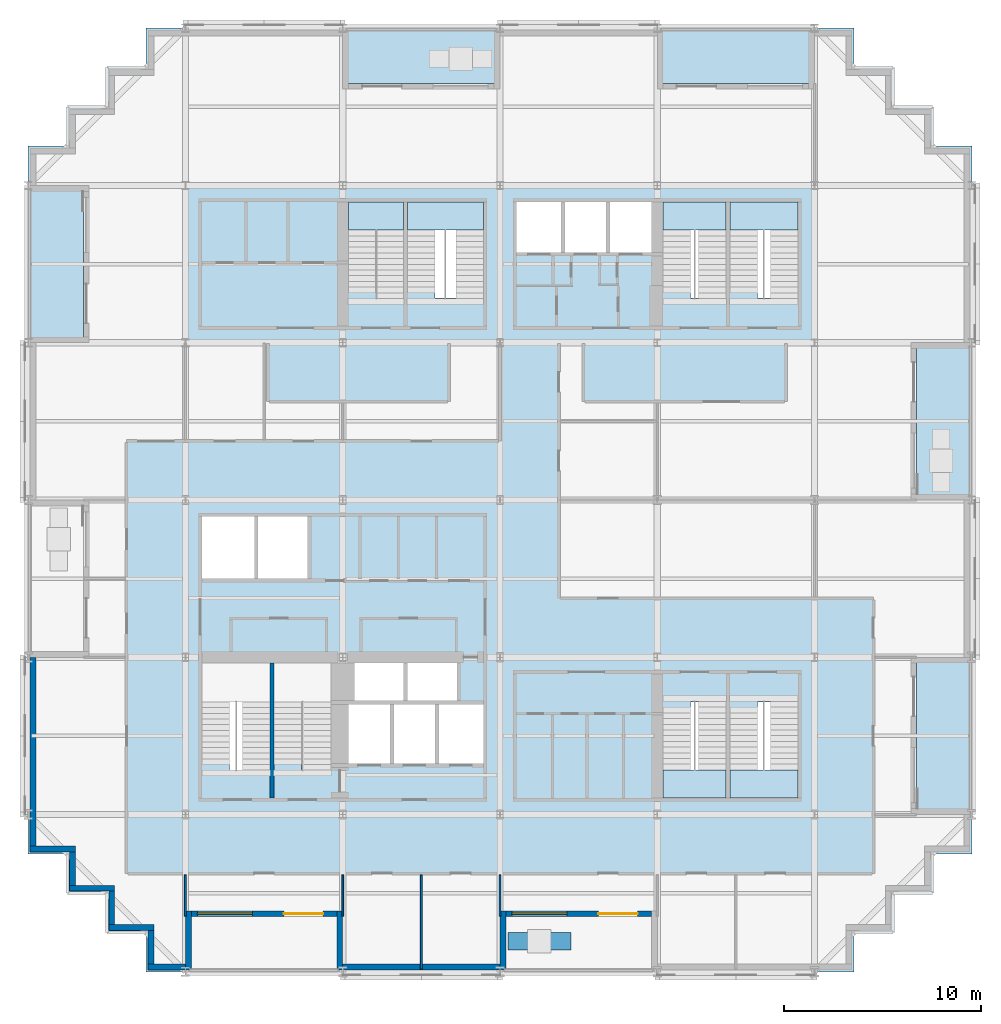
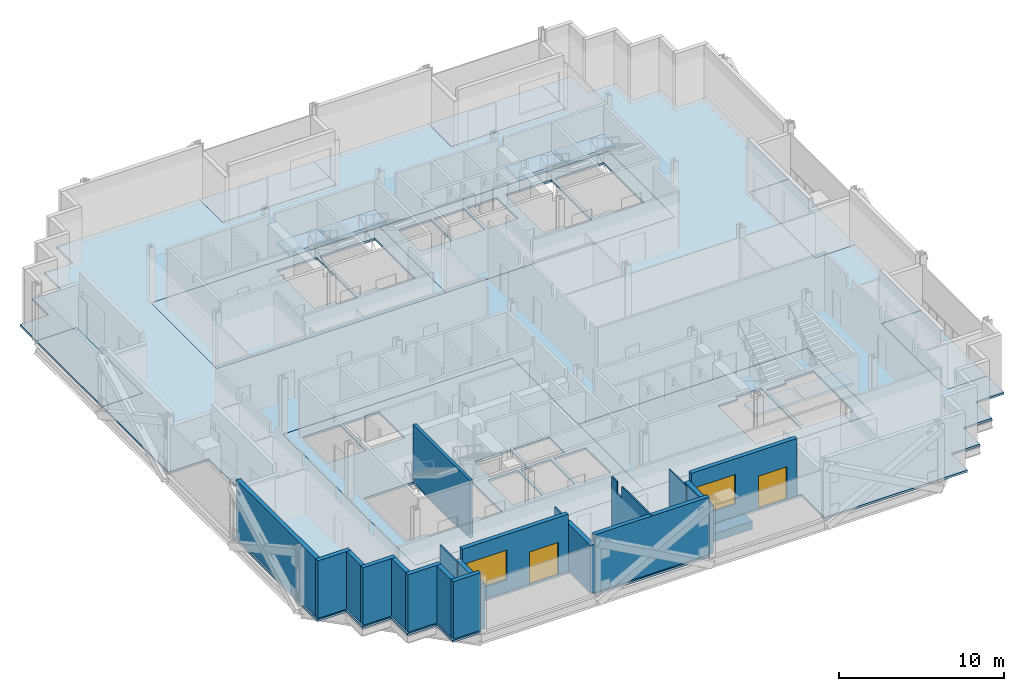
# One storey, part 4 of 14: 20 walls, 16 slabs, 2 doors, 2 windows, 4 openings, 6 elements without a shape of their own.
"""IFC4 building model written with IfcOpenShell, lengths in metres."""

from ifc_helpers import new_model, si_unit, direction, frame, frame_2d, origin, place, context, subcontext, project, spatial, polyline, rectangle, outline, extrude, material, layer, layer_set, type_object, element, fill, aggregate, save


model = new_model("IFC4")

# Units and contexts
model_context = context("Model", 3, precision=1e-05, world=origin(), true_north=direction((0.0, 1.0)))
body_context = subcontext(model_context, "Body", "Model", "MODEL_VIEW")
ifc_project = project(units=[si_unit("LENGTHUNIT", "METRE"), si_unit("AREAUNIT", "SQUARE_METRE"), si_unit("VOLUMEUNIT", "CUBIC_METRE"), si_unit("PLANEANGLEUNIT", "RADIAN"), si_unit("MASSUNIT", "GRAM", prefix="KILO")], contexts=[model_context])

# Site, building, storey
site_placement = place(None, origin())
site = spatial("IfcSite", under=ifc_project, at=site_placement, CompositionType="ELEMENT")
building_placement = place(site_placement, origin())
building = spatial("IfcBuilding", under=site, at=building_placement, Name="Immortelle Media Tower", CompositionType="ELEMENT")
storey_placement = place(building_placement, frame((0.0, 0.0, 48.0)))
storey = spatial("IfcBuildingStorey", under=building, at=storey_placement, Name="L07", CompositionType="ELEMENT", Elevation=48.0)

# Slabs
ifc_material_1 = material(Name="Concrete C50/60 composite deck", Category="concrete")
ifc_layer_1 = layer(ifc_material_1, 0.14990234375)
ifc_layer_set_1 = layer_set([ifc_layer_1], Name="Concrete C50/60 composite deck")
slab_type_1 = type_object("IfcSlabType", Name="Balcony slab 150", PredefinedType="FLOOR", material=ifc_layer_set_1)
slab_1_placement = place(storey_placement, frame((0.0, 0.0, -0.14990234375)))
element("IfcSlab", 1, at=slab_1_placement, inside=storey, type_object=slab_type_1, Name="Balcony slab L07 W0", PredefinedType="FLOOR", context=body_context, shape_type="SweptSolid", body=[
    extrude(outline(polyline([(2.800048828125, 32.0), (2.800048828125, 40.0), (0.0, 40.0), (0.0, 32.0), (2.800048828125, 32.0)])), origin(), (0.0, 0.0, 1.0), 0.14990234375),
])
slab_2_placement = place(storey_placement, frame((0.0, 0.0, -0.14990234375)))
element("IfcSlab", 2, at=slab_2_placement, inside=storey, type_object=slab_type_1, Name="Balcony slab L07 E0", PredefinedType="FLOOR", context=body_context, shape_type="SweptSolid", body=[
    extrude(outline(polyline([(48.0, 8.0), (48.0, 16.0), (45.199951171875, 16.0), (45.199951171875, 8.0), (48.0, 8.0)])), origin(), (0.0, 0.0, 1.0), 0.14990234375),
])
slab_3_placement = place(storey_placement, frame((0.0, 0.0, -0.14990234375)))
element("IfcSlab", 3, at=slab_3_placement, inside=storey, type_object=slab_type_1, Name="Balcony slab L07 E2", PredefinedType="FLOOR", context=body_context, shape_type="SweptSolid", body=[
    extrude(outline(polyline([(48.0, 24.0), (48.0, 32.0), (45.199951171875, 32.0), (45.199951171875, 24.0), (48.0, 24.0)])), origin(), (0.0, 0.0, 1.0), 0.14990234375),
])
slab_4_placement = place(storey_placement, frame((0.0, 0.0, -0.14990234375)))
element("IfcSlab", 4, at=slab_4_placement, inside=storey, type_object=slab_type_1, Name="Balcony slab L07 N0", PredefinedType="FLOOR", context=body_context, shape_type="SweptSolid", body=[
    extrude(outline(polyline([(40.0, 45.199951171875), (40.0, 48.0), (32.0, 48.0), (32.0, 45.199951171875), (40.0, 45.199951171875)])), origin(), (0.0, 0.0, 1.0), 0.14990234375),
])
slab_5_placement = place(storey_placement, frame((0.0, 0.0, -0.14990234375)))
element("IfcSlab", 5, at=slab_5_placement, inside=storey, type_object=slab_type_1, Name="Balcony slab L07 N2", PredefinedType="FLOOR", context=body_context, shape_type="SweptSolid", body=[
    extrude(outline(polyline([(24.0, 45.199951171875), (24.0, 48.0), (16.0, 48.0), (16.0, 45.199951171875), (24.0, 45.199951171875)])), origin(), (0.0, 0.0, 1.0), 0.14990234375),
])
ifc_material_2 = material(Name="Concrete C50/60", Category="concrete")
ifc_layer_2 = layer(ifc_material_2, 0.14990234375)
ifc_layer_set_2 = layer_set([ifc_layer_2], Name="Concrete C50/60")
slab_type_2 = type_object("IfcSlabType", Name="Composite floor slab 150", PredefinedType="FLOOR", material=ifc_layer_set_2)
slab_6_placement = place(storey_placement, frame((0.0, 0.0, -0.14990234375)))
element("IfcSlab", 6, at=slab_6_placement, inside=storey, type_object=slab_type_2, Name="Floor slab L07", PredefinedType="FLOOR", context=body_context, shape_type="SweptSolid", body=[
    extrude(outline(polyline([(6.0, 0.0), (6.0, 2.0), (4.0, 2.0), (4.0, 4.0), (2.0, 4.0), (2.0, 6.0), (0.0, 6.0), (0.0, 16.0), (2.800048828125, 16.0), (2.800048828125, 24.0), (0.0, 24.0), (0.0, 32.0), (2.800048828125, 32.0), (2.800048828125, 40.0), (0.0, 40.0), (0.0, 42.0), (2.0, 42.0), (2.0, 44.0), (4.0, 44.0), (4.0, 46.0), (6.0, 46.0), (6.0, 48.0), (16.0, 48.0), (16.0, 45.199951171875), (24.0, 45.199951171875), (24.0, 48.0), (32.0, 48.0), (32.0, 45.199951171875), (40.0, 45.199951171875), (40.0, 48.0), (42.0, 48.0), (42.0, 46.0), (44.0, 46.0), (44.0, 44.0), (46.0, 44.0), (46.0, 42.0), (48.0, 42.0), (48.0, 32.0), (45.199951171875, 32.0), (45.199951171875, 24.0), (48.0, 24.0), (48.0, 16.0), (45.199951171875, 16.0), (45.199951171875, 8.0), (48.0, 8.0), (48.0, 6.0), (46.0, 6.0), (46.0, 4.0), (44.0, 4.0), (44.0, 2.0), (42.0, 2.0), (42.0, 0.0), (32.0, 0.0), (32.0, 2.800048828125), (24.0, 2.800048828125), (24.0, 0.0), (16.0, 0.0), (16.0, 2.800048828125), (8.0, 2.800048828125), (8.0, 0.0), (6.0, 0.0)]), holes=[polyline([(24.0, 24.0), (8.0, 24.0), (8.0, 8.0), (24.0, 8.0), (40.0, 8.0), (40.0, 16.0), (24.0, 16.0), (24.0, 24.0)]), polyline([(24.0, 32.0), (40.0, 32.0), (40.0, 40.0), (24.0, 40.0), (8.0, 40.0), (8.0, 32.0), (24.0, 32.0)])]), origin(), (0.0, 0.0, 1.0), 0.14990234375),
])
ifc_layer_3 = layer(ifc_material_2, 0.14990234375)
ifc_layer_set_3 = layer_set([ifc_layer_3], Name="Concrete C50/60")
slab_type_3 = type_object("IfcSlabType", Name="Core floor slab 150", PredefinedType="FLOOR", material=ifc_layer_set_3)
slab_7_placement = place(storey_placement, frame((0.0, 0.0, -0.14990234375)))
element("IfcSlab", 7, at=slab_7_placement, inside=storey, type_object=slab_type_3, Name="Core floor SW", PredefinedType="FLOOR", context=body_context, shape_type="SweptSolid", body=[
    extrude(outline(polyline([(8.0, 8.0), (24.0, 8.0), (24.0, 24.0), (8.0, 24.0), (8.0, 8.0)]), holes=[polyline([(8.85009765625, 20.0), (11.5, 20.0), (11.5, 23.14990234375), (8.85009765625, 23.14990234375), (8.85009765625, 20.0)]), polyline([(11.699951171875, 20.0), (14.199951171875, 20.0), (14.199951171875, 23.14990234375), (11.699951171875, 23.14990234375), (11.699951171875, 20.0)]), polyline([(16.60009765625, 13.800048828125), (19.10009765625, 13.800048828125), (19.10009765625, 15.699951171875), (16.60009765625, 15.699951171875), (16.60009765625, 13.800048828125)]), polyline([(19.300048828125, 13.800048828125), (21.800048828125, 13.800048828125), (21.800048828125, 15.699951171875), (19.300048828125, 15.699951171875), (19.300048828125, 13.800048828125)]), polyline([(16.300048828125, 10.60009765625), (18.39990234375, 10.60009765625), (18.39990234375, 13.60009765625), (16.300048828125, 13.60009765625), (16.300048828125, 10.60009765625)]), polyline([(18.60009765625, 10.60009765625), (20.699951171875, 10.60009765625), (20.699951171875, 13.60009765625), (18.60009765625, 13.60009765625), (18.60009765625, 10.60009765625)]), polyline([(20.89990234375, 10.60009765625), (23.14990234375, 10.60009765625), (23.14990234375, 13.60009765625), (20.89990234375, 13.60009765625), (20.89990234375, 10.60009765625)]), polyline([(8.85009765625, 15.699951171875), (12.300048828125, 15.699951171875), (12.300048828125, 10.27001953125), (10.25, 10.27001953125), (10.25, 10.56005859375), (8.85009765625, 10.56005859375), (8.85009765625, 15.699951171875)]), polyline([(12.5, 15.699951171875), (15.39990234375, 15.699951171875), (15.39990234375, 10.27001953125), (13.89990234375, 10.27001953125), (13.89990234375, 10.56005859375), (12.5, 10.56005859375), (12.5, 15.699951171875)])]), origin(), (0.0, 0.0, 1.0), 0.14990234375),
])
slab_8_placement = place(storey_placement, frame((0.0, 0.0, -0.14990234375)))
element("IfcSlab", 8, at=slab_8_placement, inside=storey, type_object=slab_type_3, Name="Core floor SE", PredefinedType="FLOOR", context=body_context, shape_type="SweptSolid", body=[
    extrude(outline(polyline([(24.0, 8.0), (40.0, 8.0), (40.0, 16.0), (24.0, 16.0), (24.0, 8.0)]), holes=[polyline([(35.5, 13.72998046875), (35.5, 8.85009765625), (32.300048828125, 8.85009765625), (32.300048828125, 13.43994140625), (33.699951171875, 13.43994140625), (33.699951171875, 13.72998046875), (35.5, 13.72998046875)]), polyline([(39.14990234375, 13.72998046875), (39.14990234375, 8.85009765625), (35.699951171875, 8.85009765625), (35.699951171875, 13.43994140625), (37.10009765625, 13.43994140625), (37.10009765625, 13.72998046875), (39.14990234375, 13.72998046875)])]), origin(), (0.0, 0.0, 1.0), 0.14990234375),
])
slab_9_placement = place(storey_placement, frame((0.0, 0.0, -0.14990234375)))
element("IfcSlab", 9, at=slab_9_placement, inside=storey, type_object=slab_type_3, Name="Core floor NW", PredefinedType="FLOOR", context=body_context, shape_type="SweptSolid", body=[
    extrude(outline(polyline([(8.0, 32.0), (24.0, 32.0), (24.0, 40.0), (8.0, 40.0), (8.0, 32.0)]), holes=[polyline([(16.300048828125, 39.14990234375), (19.10009765625, 39.14990234375), (19.10009765625, 34.27001953125), (17.699951171875, 34.27001953125), (17.699951171875, 34.56005859375), (16.300048828125, 34.56005859375), (16.300048828125, 39.14990234375)]), polyline([(19.300048828125, 39.14990234375), (23.14990234375, 39.14990234375), (23.14990234375, 34.27001953125), (20.699951171875, 34.27001953125), (20.699951171875, 34.56005859375), (19.300048828125, 34.56005859375), (19.300048828125, 39.14990234375)])]), origin(), (0.0, 0.0, 1.0), 0.14990234375),
])
slab_10_placement = place(storey_placement, frame((0.0, 0.0, -0.14990234375)))
element("IfcSlab", 10, at=slab_10_placement, inside=storey, type_object=slab_type_3, Name="Core floor NE", PredefinedType="FLOOR", context=body_context, shape_type="SweptSolid", body=[
    extrude(outline(polyline([(24.0, 32.0), (40.0, 32.0), (40.0, 40.0), (24.0, 40.0), (24.0, 32.0)]), holes=[polyline([(24.85009765625, 36.60009765625), (27.10009765625, 36.60009765625), (27.10009765625, 39.14990234375), (24.85009765625, 39.14990234375), (24.85009765625, 36.60009765625)]), polyline([(27.300048828125, 36.60009765625), (29.39990234375, 36.60009765625), (29.39990234375, 39.14990234375), (27.300048828125, 39.14990234375), (27.300048828125, 36.60009765625)]), polyline([(29.60009765625, 36.60009765625), (31.699951171875, 36.60009765625), (31.699951171875, 39.14990234375), (29.60009765625, 39.14990234375), (29.60009765625, 36.60009765625)]), polyline([(32.300048828125, 39.14990234375), (35.5, 39.14990234375), (35.5, 34.27001953125), (33.699951171875, 34.27001953125), (33.699951171875, 34.56005859375), (32.300048828125, 34.56005859375), (32.300048828125, 39.14990234375)]), polyline([(35.699951171875, 39.14990234375), (39.14990234375, 39.14990234375), (39.14990234375, 34.27001953125), (37.10009765625, 34.27001953125), (37.10009765625, 34.56005859375), (35.699951171875, 34.56005859375), (35.699951171875, 39.14990234375)])]), origin(), (0.0, 0.0, 1.0), 0.14990234375),
])

# Stair, slab
ifc_material_3 = material(Name="Steel ASTM A992 Gr 50", Category="steel")
stair_type = type_object("IfcStairType", Name="Stair with flights", PredefinedType="DOUBLE_RETURN_STAIR", material=ifc_material_3)
stair_1_placement = place(storey_placement, origin())
stair_1 = element("IfcStair", 11, at=stair_1_placement, inside=storey, type_object=stair_type, Name="Exit stair SE1", PredefinedType="DOUBLE_RETURN_STAIR")
ifc_material_4 = material(Name="Steel ASTM A572 Gr 50", Category="steel")
ifc_layer_4 = layer(ifc_material_4, 0.199951171875)
ifc_layer_set_4 = layer_set([ifc_layer_4], Name="Steel ASTM A572 Gr 50")
slab_type_4 = type_object("IfcSlabType", Name="Stair landing 200", PredefinedType="LANDING", material=ifc_layer_set_4)
slab_11_placement = place(storey_placement, frame((0.0, 0.0, 1.912109375)))
slab_11 = element("IfcSlab", 12, at=slab_11_placement, type_object=slab_type_4, Name="ST SE1 landing 1", PredefinedType="LANDING", context=body_context, shape_type="SweptSolid", body=[
    extrude(outline(polyline([(32.300048828125, 8.85009765625), (35.5, 8.85009765625), (35.5, 10.27001953125), (32.300048828125, 10.27001953125), (32.300048828125, 8.85009765625)])), origin(), (0.0, 0.0, 1.0), 0.199951171875),
])
aggregate(stair_1, [slab_11])

stair_2_placement = place(storey_placement, origin())
stair_2 = element("IfcStair", 13, at=stair_2_placement, inside=storey, type_object=stair_type, Name="Exit stair SE2", PredefinedType="DOUBLE_RETURN_STAIR")
slab_12_placement = place(storey_placement, frame((0.0, 0.0, 1.912109375)))
slab_12 = element("IfcSlab", 14, at=slab_12_placement, type_object=slab_type_4, Name="ST SE2 landing 1", PredefinedType="LANDING", context=body_context, shape_type="SweptSolid", body=[
    extrude(outline(polyline([(35.699951171875, 8.85009765625), (39.14990234375, 8.85009765625), (39.14990234375, 10.27001953125), (35.699951171875, 10.27001953125), (35.699951171875, 8.85009765625)])), origin(), (0.0, 0.0, 1.0), 0.199951171875),
])
aggregate(stair_2, [slab_12])

stair_3_placement = place(storey_placement, origin())
stair_3 = element("IfcStair", 15, at=stair_3_placement, inside=storey, type_object=stair_type, Name="Exit stair NW1", PredefinedType="DOUBLE_RETURN_STAIR")
slab_13_placement = place(storey_placement, frame((0.0, 0.0, 1.912109375)))
slab_13 = element("IfcSlab", 16, at=slab_13_placement, type_object=slab_type_4, Name="ST NW1 landing 1", PredefinedType="LANDING", context=body_context, shape_type="SweptSolid", body=[
    extrude(outline(polyline([(16.300048828125, 37.72998046875), (19.10009765625, 37.72998046875), (19.10009765625, 39.14990234375), (16.300048828125, 39.14990234375), (16.300048828125, 37.72998046875)])), origin(), (0.0, 0.0, 1.0), 0.199951171875),
])
aggregate(stair_3, [slab_13])

stair_4_placement = place(storey_placement, origin())
stair_4 = element("IfcStair", 17, at=stair_4_placement, inside=storey, type_object=stair_type, Name="Exit stair NW2", PredefinedType="DOUBLE_RETURN_STAIR")
slab_14_placement = place(storey_placement, frame((0.0, 0.0, 1.912109375)))
slab_14 = element("IfcSlab", 18, at=slab_14_placement, type_object=slab_type_4, Name="ST NW2 landing 1", PredefinedType="LANDING", context=body_context, shape_type="SweptSolid", body=[
    extrude(outline(polyline([(19.300048828125, 37.72998046875), (23.14990234375, 37.72998046875), (23.14990234375, 39.14990234375), (19.300048828125, 39.14990234375), (19.300048828125, 37.72998046875)])), origin(), (0.0, 0.0, 1.0), 0.199951171875),
])
aggregate(stair_4, [slab_14])

stair_5_placement = place(storey_placement, origin())
stair_5 = element("IfcStair", 19, at=stair_5_placement, inside=storey, type_object=stair_type, Name="Exit stair NE1", PredefinedType="DOUBLE_RETURN_STAIR")
slab_15_placement = place(storey_placement, frame((0.0, 0.0, 1.912109375)))
slab_15 = element("IfcSlab", 20, at=slab_15_placement, type_object=slab_type_4, Name="ST NE1 landing 1", PredefinedType="LANDING", context=body_context, shape_type="SweptSolid", body=[
    extrude(outline(polyline([(32.300048828125, 37.72998046875), (35.5, 37.72998046875), (35.5, 39.14990234375), (32.300048828125, 39.14990234375), (32.300048828125, 37.72998046875)])), origin(), (0.0, 0.0, 1.0), 0.199951171875),
])
aggregate(stair_5, [slab_15])

stair_6_placement = place(storey_placement, origin())
stair_6 = element("IfcStair", 21, at=stair_6_placement, inside=storey, type_object=stair_type, Name="Exit stair NE2", PredefinedType="DOUBLE_RETURN_STAIR")
slab_16_placement = place(storey_placement, frame((0.0, 0.0, 1.912109375)))
slab_16 = element("IfcSlab", 22, at=slab_16_placement, type_object=slab_type_4, Name="ST NE2 landing 1", PredefinedType="LANDING", context=body_context, shape_type="SweptSolid", body=[
    extrude(outline(polyline([(35.699951171875, 37.72998046875), (39.14990234375, 37.72998046875), (39.14990234375, 39.14990234375), (35.699951171875, 39.14990234375), (35.699951171875, 37.72998046875)])), origin(), (0.0, 0.0, 1.0), 0.199951171875),
])
aggregate(stair_6, [slab_16])

# Walls
ifc_material_5 = material(Name="Pale aluminium cladding panel", Category="aluminium")
ifc_layer_5 = layer(ifc_material_5, 0.030029296875)
ifc_material_6 = material(Name="Steel ASTM A653 SS Gr 50 stud frame with mineral wool", Category="steel")
ifc_layer_6 = layer(ifc_material_6, 0.257568359375)
ifc_material_7 = material(Name="Moisture-resistant gypsum board", Category="gypsum")
ifc_layer_7 = layer(ifc_material_7, 0.012451171875)
ifc_layer_set_5 = layer_set([ifc_layer_5, ifc_layer_6, ifc_layer_7], Name="Steel ASTM A653 SS Gr 50 stud frame with mineral wool")
wall_type_1 = type_object("IfcWallType", Name="Facade wall 300", PredefinedType="SOLIDWALL", material=ifc_layer_set_5)
wall_1_placement = place(storey_placement, frame((0.25, 16.0, 0.0), z_axis=(0.0, 0.0, 1.0), x_axis=(0.0, -1.0, 0.0)))
element("IfcWall", 23, at=wall_1_placement, inside=storey, type_object=wall_type_1, Name="Facade wall L07 W0", PredefinedType="SOLIDWALL", context=body_context, shape_type="SweptSolid", body=[
    extrude(rectangle(XDim=9.60009765625, YDim=0.300048828125, at=frame_2d((4.800048828125, 0.0))), origin(), (0.0, 0.0, 1.0), 4.25),
])
wall_2_placement = place(storey_placement, frame((0.10009765625, 6.25, 0.0), z_axis=(0.0, 0.0, 1.0), x_axis=(1.0, 0.0, 0.0)))
element("IfcWall", 24, at=wall_2_placement, inside=storey, type_object=wall_type_1, Name="Facade wall L07 S1", PredefinedType="SOLIDWALL", context=body_context, shape_type="SweptSolid", body=[
    extrude(rectangle(XDim=2.2998046875, YDim=0.300048828125, at=frame_2d((1.14990234375, 0.0))), origin(), (0.0, 0.0, 1.0), 4.25),
])
wall_3_placement = place(storey_placement, frame((2.25, 6.10009765625, 0.0), z_axis=(0.0, 0.0, 1.0), x_axis=(0.0, -1.0, 0.0)))
element("IfcWall", 25, at=wall_3_placement, inside=storey, type_object=wall_type_1, Name="Facade wall L07 W2", PredefinedType="SOLIDWALL", context=body_context, shape_type="SweptSolid", body=[
    extrude(rectangle(XDim=1.7001953125, YDim=0.300048828125, at=frame_2d((0.85009765625, 0.0))), origin(), (0.0, 0.0, 1.0), 4.25),
])
wall_4_placement = place(storey_placement, frame((2.10009765625, 4.25, 0.0), z_axis=(0.0, 0.0, 1.0), x_axis=(1.0, 0.0, 0.0)))
element("IfcWall", 26, at=wall_4_placement, inside=storey, type_object=wall_type_1, Name="Facade wall L07 S3", PredefinedType="SOLIDWALL", context=body_context, shape_type="SweptSolid", body=[
    extrude(rectangle(XDim=2.2998046875, YDim=0.300048828125, at=frame_2d((1.14990234375, 0.0))), origin(), (0.0, 0.0, 1.0), 4.25),
])
wall_5_placement = place(storey_placement, frame((4.25, 4.10009765625, 0.0), z_axis=(0.0, 0.0, 1.0), x_axis=(0.0, -1.0, 0.0)))
element("IfcWall", 27, at=wall_5_placement, inside=storey, type_object=wall_type_1, Name="Facade wall L07 W4", PredefinedType="SOLIDWALL", context=body_context, shape_type="SweptSolid", body=[
    extrude(rectangle(XDim=1.7001953125, YDim=0.300048828125, at=frame_2d((0.85009765625, 0.0))), origin(), (0.0, 0.0, 1.0), 4.25),
])
wall_6_placement = place(storey_placement, frame((4.10009765625, 2.25, 0.0), z_axis=(0.0, 0.0, 1.0), x_axis=(1.0, 0.0, 0.0)))
element("IfcWall", 28, at=wall_6_placement, inside=storey, type_object=wall_type_1, Name="Facade wall L07 S5", PredefinedType="SOLIDWALL", context=body_context, shape_type="SweptSolid", body=[
    extrude(rectangle(XDim=2.2998046875, YDim=0.300048828125, at=frame_2d((1.14990234375, 0.0))), origin(), (0.0, 0.0, 1.0), 4.25),
])
wall_7_placement = place(storey_placement, frame((6.25, 2.10009765625, 0.0), z_axis=(0.0, 0.0, 1.0), x_axis=(0.0, -1.0, 0.0)))
element("IfcWall", 29, at=wall_7_placement, inside=storey, type_object=wall_type_1, Name="Facade wall L07 W6", PredefinedType="SOLIDWALL", context=body_context, shape_type="SweptSolid", body=[
    extrude(rectangle(XDim=1.7001953125, YDim=0.300048828125, at=frame_2d((0.85009765625, 0.0))), origin(), (0.0, 0.0, 1.0), 4.25),
])
wall_8_placement = place(storey_placement, frame((6.10009765625, 0.25, 0.0), z_axis=(0.0, 0.0, 1.0), x_axis=(1.0, 0.0, 0.0)))
element("IfcWall", 30, at=wall_8_placement, inside=storey, type_object=wall_type_1, Name="Facade wall L07 S7", PredefinedType="SOLIDWALL", context=body_context, shape_type="SweptSolid", body=[
    extrude(rectangle(XDim=1.89990234375, YDim=0.300048828125, at=frame_2d((0.949951171875, 0.0))), origin(), (0.0, 0.0, 1.0), 4.25),
])

# Wall, openings, door, window
wall_9_placement = place(storey_placement, frame((8.300048828125, 2.949951171875, 0.0), z_axis=(0.0, 0.0, 1.0), x_axis=(1.0, 0.0, 0.0)))
wall_9 = element("IfcWall", 31, at=wall_9_placement, inside=storey, type_object=wall_type_1, Name="Loggia wall L07 S7", PredefinedType="SOLIDWALL", context=body_context, shape_type="SweptSolid", body=[
    extrude(rectangle(XDim=7.39990234375, YDim=0.300048828125, at=frame_2d((3.699951171875, 0.0))), origin(), (0.0, 0.0, 1.0), 4.25),
])
opening_1_placement = place(wall_9_placement, frame((0.300048828125, 0.0, 0.89990234375)))
opening_1 = element("IfcOpeningElement", 32, at=opening_1_placement, cuts=wall_9, Name="Opening W1", PredefinedType="OPENING", context=body_context, shape_type="SweptSolid", body=[
    extrude(rectangle(XDim=2.800048828125, YDim=2.199951171875, at=frame_2d((1.39990234375, 1.10009765625))), frame((0.0, 0.159912109375, 0.0), z_axis=(0.0, -1.0, 0.0), x_axis=(1.0, 0.0, 0.0)), (0.0, 0.0, 1.0), 0.320068359375),
])
opening_2_placement = place(wall_9_placement, frame((4.699951171875, 0.0, 0.0)))
opening_2 = element("IfcOpeningElement", 33, at=opening_2_placement, cuts=wall_9, Name="Opening N2-E003", PredefinedType="OPENING", context=body_context, shape_type="SweptSolid", body=[
    extrude(rectangle(XDim=2.0, YDim=2.39990234375, at=frame_2d((1.0, 1.199951171875))), frame((0.0, 0.159912109375, 0.0), z_axis=(0.0, -1.0, 0.0), x_axis=(1.0, 0.0, 0.0)), (0.0, 0.0, 1.0), 0.320068359375),
])
ifc_material_8 = material(Name="Aluminium frame, glazed leaves", Category="aluminium")
door_type = type_object("IfcDoorType", Name="Loggia door 2000 x 2400", OperationType="DOUBLE_DOOR_SINGLE_SWING", PredefinedType="DOOR", material=ifc_material_8)
door_1_placement = place(opening_2_placement, origin())
door_1 = element("IfcDoor", 34, at=door_1_placement, inside=storey, type_object=door_type, Name="Door N2-E003", OperationType="DOUBLE_DOOR_SINGLE_SWING", OverallHeight=2.39990234375, OverallWidth=2.0, PredefinedType="DOOR", context=body_context, shape_type="SweptSolid", body=[
    extrude(rectangle(XDim=2.0, YDim=2.39990234375, at=frame_2d((1.0, 1.199951171875))), frame((0.0, 0.02490234375, 0.0), z_axis=(0.0, -1.0, 0.0), x_axis=(1.0, 0.0, 0.0)), (0.0, 0.0, 1.0), 0.050048828125),
])
fill(opening_2, door_1)
ifc_material_9 = material(Name="Aluminium frame", Category="aluminium")
window_type = type_object("IfcWindowType", Name="Window 2800 x 2200", PartitioningType="SINGLE_PANEL", PredefinedType="WINDOW", material=ifc_material_9)
window_1_placement = place(opening_1_placement, origin())
window_1 = element("IfcWindow", 35, at=window_1_placement, inside=storey, type_object=window_type, Name="Window L07 L07-R7-B0", OverallHeight=2.199951171875, OverallWidth=2.800048828125, PartitioningType="SINGLE_PANEL", PredefinedType="WINDOW", context=body_context, shape_type="SweptSolid", body=[
    extrude(rectangle(XDim=2.800048828125, YDim=2.199951171875, at=frame_2d((1.39990234375, 1.10009765625))), frame((0.0, 0.030029296875, 0.0), z_axis=(0.0, -1.0, 0.0), x_axis=(1.0, 0.0, 0.0)), (0.0, 0.0, 1.0), 0.06005859375),
])
fill(opening_1, window_1)

# Walls
wall_10_placement = place(storey_placement, frame((8.14990234375, 0.10009765625, 0.0), z_axis=(0.0, 0.0, 1.0), x_axis=(0.0, 1.0, 0.0)))
element("IfcWall", 36, at=wall_10_placement, inside=storey, type_object=wall_type_1, Name="Loggia cheek wall L07 S", PredefinedType="SOLIDWALL", context=body_context, shape_type="SweptSolid", body=[
    extrude(rectangle(XDim=3.0, YDim=0.300048828125, at=frame_2d((1.5, 0.0))), origin(), (0.0, 0.0, 1.0), 3.389892578125),
])
wall_11_placement = place(storey_placement, frame((15.85009765625, 0.10009765625, 0.0), z_axis=(0.0, 0.0, 1.0), x_axis=(0.0, 1.0, 0.0)))
element("IfcWall", 37, at=wall_11_placement, inside=storey, type_object=wall_type_1, Name="Loggia cheek wall L07 S", PredefinedType="SOLIDWALL", context=body_context, shape_type="SweptSolid", body=[
    extrude(rectangle(XDim=3.0, YDim=0.300048828125, at=frame_2d((1.5, 0.0))), origin(), (0.0, 0.0, 1.0), 3.552978515625),
])
wall_12_placement = place(storey_placement, frame((16.0, 0.25, 0.0), z_axis=(0.0, 0.0, 1.0), x_axis=(1.0, 0.0, 0.0)))
element("IfcWall", 38, at=wall_12_placement, inside=storey, type_object=wall_type_1, Name="Facade wall L07 S7", PredefinedType="SOLIDWALL", context=body_context, shape_type="SweptSolid", body=[
    extrude(rectangle(XDim=8.0, YDim=0.300048828125, at=frame_2d((4.0, 0.0))), origin(), (0.0, 0.0, 1.0), 4.25),
])

# Wall, openings, door, window
wall_13_placement = place(storey_placement, frame((24.300048828125, 2.949951171875, 0.0), z_axis=(0.0, 0.0, 1.0), x_axis=(1.0, 0.0, 0.0)))
wall_13 = element("IfcWall", 39, at=wall_13_placement, inside=storey, type_object=wall_type_1, Name="Loggia wall L07 S7", PredefinedType="SOLIDWALL", context=body_context, shape_type="SweptSolid", body=[
    extrude(rectangle(XDim=7.39990234375, YDim=0.300048828125, at=frame_2d((3.699951171875, 0.0))), origin(), (0.0, 0.0, 1.0), 4.25),
])
opening_3_placement = place(wall_13_placement, frame((0.300048828125, 0.0, 0.89990234375)))
opening_3 = element("IfcOpeningElement", 40, at=opening_3_placement, cuts=wall_13, Name="Opening W1", PredefinedType="OPENING", context=body_context, shape_type="SweptSolid", body=[
    extrude(rectangle(XDim=2.800048828125, YDim=2.199951171875, at=frame_2d((1.39990234375, 1.10009765625))), frame((0.0, 0.159912109375, 0.0), z_axis=(0.0, -1.0, 0.0), x_axis=(1.0, 0.0, 0.0)), (0.0, 0.0, 1.0), 0.320068359375),
])
opening_4_placement = place(wall_13_placement, frame((4.699951171875, 0.0, 0.0)))
opening_4 = element("IfcOpeningElement", 41, at=opening_4_placement, cuts=wall_13, Name="Opening N2-E004", PredefinedType="OPENING", context=body_context, shape_type="SweptSolid", body=[
    extrude(rectangle(XDim=2.0, YDim=2.39990234375, at=frame_2d((1.0, 1.199951171875))), frame((0.0, 0.159912109375, 0.0), z_axis=(0.0, -1.0, 0.0), x_axis=(1.0, 0.0, 0.0)), (0.0, 0.0, 1.0), 0.320068359375),
])
door_2_placement = place(opening_4_placement, origin())
door_2 = element("IfcDoor", 42, at=door_2_placement, inside=storey, type_object=door_type, Name="Door N2-E004", OperationType="DOUBLE_DOOR_SINGLE_SWING", OverallHeight=2.39990234375, OverallWidth=2.0, PredefinedType="DOOR", context=body_context, shape_type="SweptSolid", body=[
    extrude(rectangle(XDim=2.0, YDim=2.39990234375, at=frame_2d((1.0, 1.199951171875))), frame((0.0, 0.02490234375, 0.0), z_axis=(0.0, -1.0, 0.0), x_axis=(1.0, 0.0, 0.0)), (0.0, 0.0, 1.0), 0.050048828125),
])
fill(opening_4, door_2)
window_2_placement = place(opening_3_placement, origin())
window_2 = element("IfcWindow", 43, at=window_2_placement, inside=storey, type_object=window_type, Name="Window L07 L07-R7-B2", OverallHeight=2.199951171875, OverallWidth=2.800048828125, PartitioningType="SINGLE_PANEL", PredefinedType="WINDOW", context=body_context, shape_type="SweptSolid", body=[
    extrude(rectangle(XDim=2.800048828125, YDim=2.199951171875, at=frame_2d((1.39990234375, 1.10009765625))), frame((0.0, 0.030029296875, 0.0), z_axis=(0.0, -1.0, 0.0), x_axis=(1.0, 0.0, 0.0)), (0.0, 0.0, 1.0), 0.06005859375),
])
fill(opening_3, window_2)

# Walls
wall_14_placement = place(storey_placement, frame((24.14990234375, 0.10009765625, 0.0), z_axis=(0.0, 0.0, 1.0), x_axis=(0.0, 1.0, 0.0)))
element("IfcWall", 44, at=wall_14_placement, inside=storey, type_object=wall_type_1, Name="Loggia cheek wall L07 S", PredefinedType="SOLIDWALL", context=body_context, shape_type="SweptSolid", body=[
    extrude(rectangle(XDim=3.0, YDim=0.300048828125, at=frame_2d((1.5, 0.0))), origin(), (0.0, 0.0, 1.0), 3.552978515625),
])
ifc_material_10 = material(Name="Gypsum board", Category="gypsum")
ifc_layer_8 = layer(ifc_material_10, 0.012451171875)
ifc_layer_9 = layer(ifc_material_6, 0.074951171875)
ifc_layer_10 = layer(ifc_material_10, 0.012451171875)
ifc_layer_set_6 = layer_set([ifc_layer_8, ifc_layer_9, ifc_layer_10], Name="Steel ASTM A653 SS Gr 50 stud frame with mineral wool")
wall_type_2 = type_object("IfcWallType", Name="Partition 100", PredefinedType="PARTITIONING", material=ifc_layer_set_6)
wall_15_placement = place(storey_placement, frame((20.0, 0.1298828125, 0.0), z_axis=(0.0, 0.0, 1.0), x_axis=(0.0, 1.0, 0.0)))
element("IfcWall", 45, at=wall_15_placement, inside=storey, type_object=wall_type_2, Name="Partition L07-001", PredefinedType="PARTITIONING", context=body_context, shape_type="SweptSolid", body=[
    extrude(outline(polyline([(0.0, 0.0), (4.795166015625, 0.0), (4.794921875, 4.25), (4.169921875, 4.25), (4.16796875, 3.39111328125), (3.572021484375, 3.39111328125), (3.570068359375, 4.25), (0.0, 4.25), (0.0, 0.0)])), frame((0.0, 0.050048828125, 0.0), z_axis=(0.0, -1.0, 0.0), x_axis=(1.0, 0.0, 0.0)), (0.0, 0.0, 1.0), 0.10009765625),
])
for number, where, z_axis, x_axis, name in (
    (46, (8.0, 2.830078125, 0.0), (0.0, 0.0, 1.0), (0.0, 1.0, 0.0), "Partition L07-003"),
    (47, (16.0, 2.830078125, 0.0), (0.0, 0.0, 1.0), (0.0, 1.0, 0.0), "Partition L07-004"),
    (48, (24.0, 2.830078125, 0.0), (0.0, 0.0, 1.0), (0.0, 1.0, 0.0), "Partition L07-005"),
):
    element("IfcWall", number, at=place(storey_placement, frame(where, z_axis=z_axis, x_axis=x_axis)), inside=storey, type_object=wall_type_2, Name=name, PredefinedType="PARTITIONING", context=body_context, shape_type="SweptSolid", body=[
        extrude(rectangle(XDim=2.094970703125, YDim=0.10009765625, at=frame_2d((1.04736328125, 0.0))), origin(), (0.0, 0.0, 1.0), 3.39111328125),
    ])
ifc_layer_11 = layer(ifc_material_5, 0.0029296875)
ifc_material_11 = material(Name="Steel ASTM A572 Gr 50 planter shell", Category="steel")
ifc_layer_12 = layer(ifc_material_11, 0.011962890625)
ifc_material_12 = material(Name="Planting substrate", Category="soil")
ifc_layer_13 = layer(ifc_material_12, 0.873046875)
ifc_layer_14 = layer(ifc_material_11, 0.011962890625)
ifc_layer_set_7 = layer_set([ifc_layer_11, ifc_layer_12, ifc_layer_13, ifc_layer_14], Name="Steel ASTM A572 Gr 50 planter shell")
wall_type_3 = type_object("IfcWallType", Name="Planter wall 900", PredefinedType="SOLIDWALL", material=ifc_layer_set_7)
wall_16_placement = place(storey_placement, frame((24.39990234375, 1.550048828125, 0.0), z_axis=(0.0, 0.0, 1.0), x_axis=(1.0, 0.0, 0.0)))
element("IfcWall", 49, at=wall_16_placement, inside=storey, type_object=wall_type_3, Name="Planter L07 S2", PredefinedType="SOLIDWALL", context=body_context, shape_type="SweptSolid", body=[
    extrude(rectangle(XDim=3.2001953125, YDim=0.89990234375, at=frame_2d((1.60009765625, 0.0))), origin(), (0.0, 0.0, 1.0), 0.60009765625),
])
ifc_material_13 = material(Name="Concrete C60", Category="concrete")
ifc_layer_15 = layer(ifc_material_13, 0.199951171875)
ifc_layer_set_8 = layer_set([ifc_layer_15], Name="Concrete C60")
wall_type_4 = type_object("IfcWallType", Name="Stair shaft wall 200", PredefinedType="PARTITIONING", material=ifc_layer_set_8)
wall_17_placement = place(storey_placement, frame((12.39990234375, 8.85009765625, 0.0), z_axis=(0.0, 0.0, 1.0), x_axis=(0.0, 1.0, 0.0)))
element("IfcWall", 50, at=wall_17_placement, inside=storey, type_object=wall_type_4, Name="Stair shaft wall SW", PredefinedType="PARTITIONING", context=body_context, shape_type="SweptSolid", body=[
    extrude(rectangle(XDim=6.849853515625, YDim=0.199951171875, at=frame_2d((3.4248046875, 0.0))), origin(), (0.0, 0.0, 1.0), 4.25),
])

save(model, "model.ifc")
